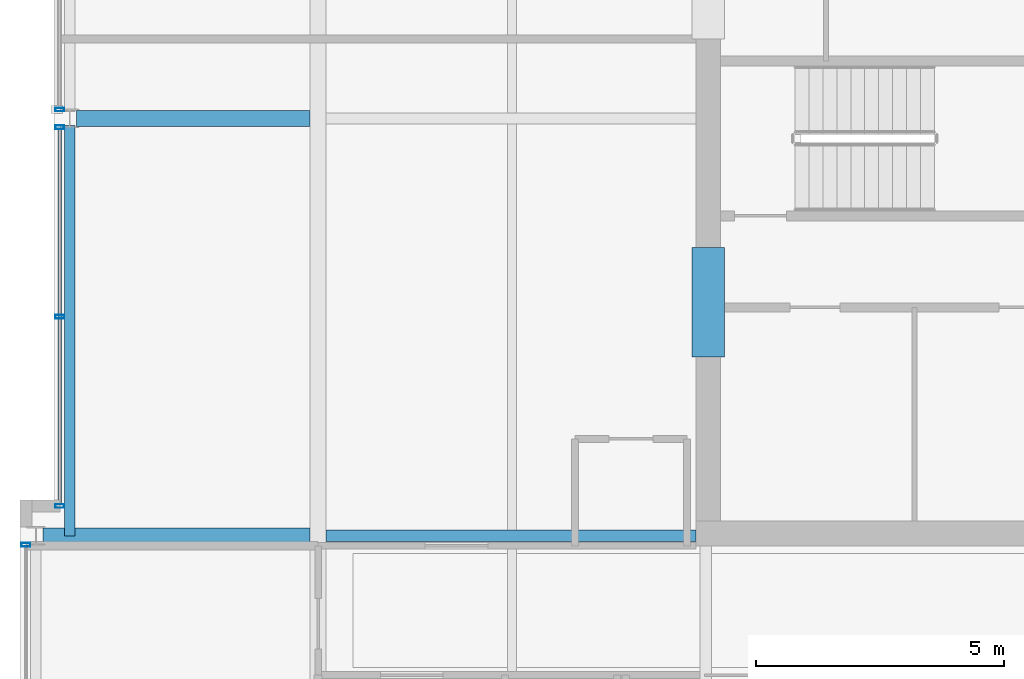
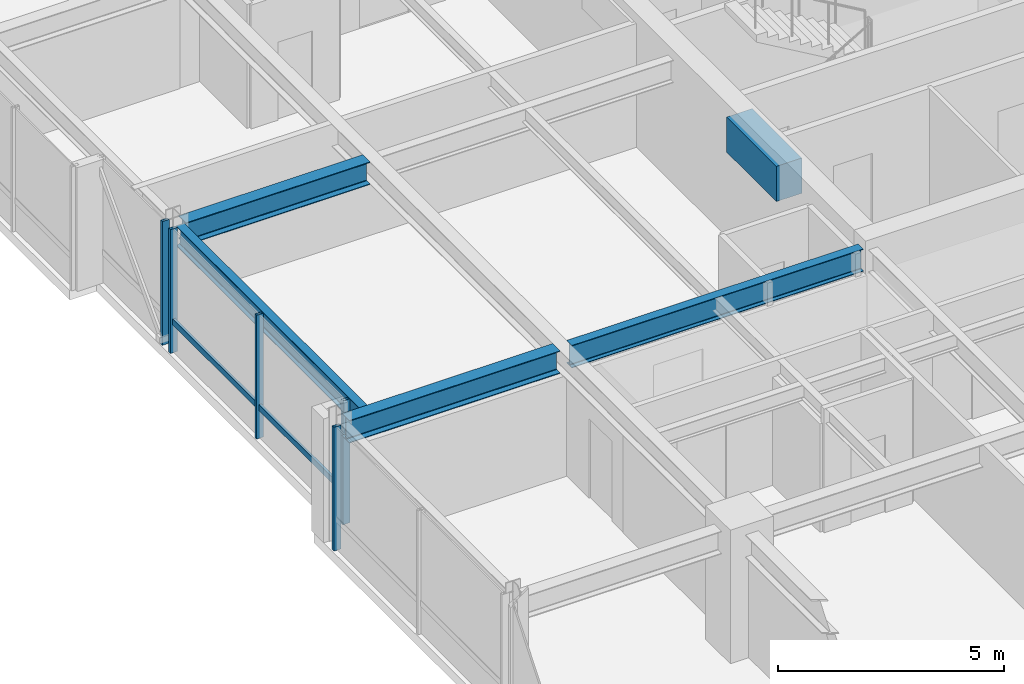
# One storey, part 9 of 33: 6 members, 5 beams, 3 elements without a shape of their own.
"""IFC4 building model written with IfcOpenShell, lengths in metres."""

from ifc_helpers import new_model, si_unit, direction, frame, origin, origin_2d, place, context, subcontext, project, spatial, rectangle, hollow_rectangle, i_section, extrude, material, layer, layer_set, material_profile, profile_set, type_object, element, aggregate, save


model = new_model("IFC4")

# Units and contexts
model_context = context("Model", 3, precision=1e-05, world=origin(), true_north=direction((0.0, 1.0)))
body_context = subcontext(model_context, "Body", "Model", "MODEL_VIEW")
ifc_project = project(units=[si_unit("LENGTHUNIT", "METRE"), si_unit("AREAUNIT", "SQUARE_METRE"), si_unit("VOLUMEUNIT", "CUBIC_METRE"), si_unit("PLANEANGLEUNIT", "RADIAN"), si_unit("MASSUNIT", "GRAM", prefix="KILO")], contexts=[model_context])

# Site, building, storey
site_placement = place(None, origin())
site = spatial("IfcSite", under=ifc_project, at=site_placement, CompositionType="ELEMENT")
building_placement = place(site_placement, origin())
building = spatial("IfcBuilding", under=site, at=building_placement, Name="Drelvath Grand Hotel", CompositionType="ELEMENT")
storey_placement = place(building_placement, frame((0.0, 0.0, 248.300048828125)))
storey = spatial("IfcBuildingStorey", under=building, at=storey_placement, Name="L65", CompositionType="ELEMENT", Elevation=248.300048828125)

# Beam
ifc_material_1 = material(Name="Concrete f'c 55 MPa", Category="concrete")
ifc_material_profile_1 = material_profile(ifc_material_1, rectangle(XDim=0.64990234375, YDim=0.949951171875, at=origin_2d()), Name="CB650X950")
ifc_profile_set_1 = profile_set([ifc_material_profile_1], Name="Concrete f'c 55 MPa")
beam_type_1 = type_object("IfcBeamType", Name="Core Coupling Lintel CB650X950", PredefinedType="LINTEL", material=ifc_profile_set_1)
beam_1_placement = place(storey_placement, frame((-8.35009765625, 22.199951171875, 2.864990234375), z_axis=(0.0, 1.0, 0.0), x_axis=(-1.0, 0.0, 0.0)))
element("IfcBeam", 1, at=beam_1_placement, inside=storey, type_object=beam_type_1, Name="L65 Core Coupling Lintel WS", PredefinedType="LINTEL", context=body_context, shape_type="SweptSolid", body=[
    extrude(rectangle(XDim=0.64990234375, YDim=0.949951171875, at=origin_2d()), origin(), (0.0, 0.0, 1.0), 2.199951171875),
])

# Curtain wall, member
ifc_material_2 = material(Name="Platinum-Mist Anodised Aluminium Frame", Category="aluminium")
ifc_layer = layer(ifc_material_2, 0.199951171875)
ifc_layer_set = layer_set([ifc_layer], Name="Platinum-Mist Anodised Aluminium Frame")
curtain_wall_type = type_object("IfcCurtainWallType", Name="Stick Curtain Wall CW-05 Platinum Mist High-Rise", PredefinedType="NOTDEFINED", material=ifc_layer_set)
curtain_wall_1_placement = place(storey_placement, origin())
curtain_wall_1 = element("IfcCurtainWall", 2, at=curtain_wall_1_placement, inside=storey, type_object=curtain_wall_type, Name="L65 CW-05 Curtain Wall CW05-L65-WM1", PredefinedType="NOTDEFINED")
ifc_material_profile_2 = material_profile(ifc_material_2, hollow_rectangle(XDim=0.06494140625, YDim=0.159912109375, WallThickness=0.00390625, at=origin_2d()), Name="HSS160X65X4")
ifc_profile_set_2 = profile_set([ifc_material_profile_2], Name="Platinum-Mist Anodised Aluminium Frame")
member_type_1 = type_object("IfcMemberType", Name="Curtain Wall Horizontal Transom CW-05 HSS160X65X4", PredefinedType="USERDEFINED", material=ifc_profile_set_2)
member_1_placement = place(storey_placement, frame((-21.39990234375, 19.239990234375, 0.8349609375), z_axis=(0.0, 1.0, 0.0), x_axis=(-1.0, 0.0, 0.0)))
member_1 = element("IfcMember", 3, at=member_1_placement, type_object=member_type_1, Name="CW05-L65-WM1 Sill Transom", ObjectType="TRANSOM", PredefinedType="USERDEFINED", context=body_context, shape_type="SweptSolid", body=[
    extrude(hollow_rectangle(XDim=0.06494140625, YDim=0.159912109375, WallThickness=0.00390625, at=origin_2d()), origin(), (0.0, 0.0, 1.0), 7.541748046875),
])

curtain_wall_2_placement = place(storey_placement, origin())
curtain_wall_2 = element("IfcCurtainWall", 4, at=curtain_wall_2_placement, inside=storey, type_object=curtain_wall_type, Name="L65 CW-05 Curtain Wall CW05-L65-WS2", PredefinedType="NOTDEFINED")
ifc_material_profile_3 = material_profile(ifc_material_2, hollow_rectangle(XDim=0.074951171875, YDim=0.179931640625, WallThickness=0.0048828125, at=origin_2d()), Name="HSS180X75X5")
ifc_profile_set_3 = profile_set([ifc_material_profile_3], Name="Platinum-Mist Anodised Aluminium Frame")
member_type_2 = type_object("IfcMemberType", Name="Curtain Wall Vertical Mullion CW-05 HSS180X75X5", PredefinedType="MULLION", material=ifc_profile_set_3)
member_2_placement = place(storey_placement, frame((-22.080078125, 18.421875, 0.0), z_axis=(0.0, 0.0, 1.0), x_axis=(0.0, 1.0, 0.0)))
member_2 = element("IfcMember", 5, at=member_2_placement, type_object=member_type_2, Name="CW05-L65-WS2 Mullion 3", PredefinedType="MULLION", context=body_context, shape_type="SweptSolid", body=[
    extrude(hollow_rectangle(XDim=0.074951171875, YDim=0.179931640625, WallThickness=0.0048828125, at=origin_2d()), origin(), (0.0, 0.0, 1.0), 3.33984375),
])
aggregate(curtain_wall_2, [member_2])

# Member
member_3_placement = place(storey_placement, frame((-21.39990234375, 19.199951171875, 0.0), z_axis=(0.0, 0.0, 1.0), x_axis=(0.0, 1.0, 0.0)))
member_3 = element("IfcMember", 6, at=member_3_placement, type_object=member_type_2, Name="CW05-L65-WM1 Mullion 1", PredefinedType="MULLION", context=body_context, shape_type="SweptSolid", body=[
    extrude(hollow_rectangle(XDim=0.074951171875, YDim=0.179931640625, WallThickness=0.0048828125, at=origin_2d()), origin(), (0.0, 0.0, 1.0), 3.33984375),
])

member_4_placement = place(storey_placement, frame((-21.39990234375, 23.010986328125, 0.0), z_axis=(0.0, 0.0, 1.0), x_axis=(0.0, 1.0, 0.0)))
member_4 = element("IfcMember", 7, at=member_4_placement, type_object=member_type_2, Name="CW05-L65-WM1 Mullion 2", PredefinedType="MULLION", context=body_context, shape_type="SweptSolid", body=[
    extrude(hollow_rectangle(XDim=0.074951171875, YDim=0.179931640625, WallThickness=0.0048828125, at=origin_2d()), origin(), (0.0, 0.0, 1.0), 3.33984375),
])

member_5_placement = place(storey_placement, frame((-21.39990234375, 26.82177734375, 0.0), z_axis=(0.0, 0.0, 1.0), x_axis=(0.0, 1.0, 0.0)))
member_5 = element("IfcMember", 8, at=member_5_placement, type_object=member_type_2, Name="CW05-L65-WM1 Mullion 3", PredefinedType="MULLION", context=body_context, shape_type="SweptSolid", body=[
    extrude(hollow_rectangle(XDim=0.074951171875, YDim=0.179931640625, WallThickness=0.0048828125, at=origin_2d()), origin(), (0.0, 0.0, 1.0), 3.33984375),
])

aggregate(curtain_wall_1, [member_3, member_4, member_5, member_1])

# Curtain wall, member
curtain_wall_3_placement = place(storey_placement, origin())
curtain_wall_3 = element("IfcCurtainWall", 9, at=curtain_wall_3_placement, inside=storey, type_object=curtain_wall_type, Name="L65 CW-05 Curtain Wall CW05-L65-WM2", PredefinedType="NOTDEFINED")
member_6_placement = place(storey_placement, frame((-21.39990234375, 27.17822265625, 0.0), z_axis=(0.0, 0.0, 1.0), x_axis=(0.0, 1.0, 0.0)))
member_6 = element("IfcMember", 10, at=member_6_placement, type_object=member_type_2, Name="CW05-L65-WM2 Mullion 1", PredefinedType="MULLION", context=body_context, shape_type="SweptSolid", body=[
    extrude(hollow_rectangle(XDim=0.074951171875, YDim=0.179931640625, WallThickness=0.0048828125, at=origin_2d()), origin(), (0.0, 0.0, 1.0), 3.33984375),
])
aggregate(curtain_wall_3, [member_6])

# Beams
ifc_material_3 = material(Name="Steel ASTM A992 Gr 50", Category="steel")
ifc_material_profile_4 = material_profile(ifc_material_3, i_section(OverallWidth=0.210205078125, OverallDepth=0.53662109375, WebThickness=0.010986328125, FlangeThickness=0.017333984375, FilletRadius=0.01806640625, at=origin_2d()), Name="W21X68")
ifc_profile_set_4 = profile_set([ifc_material_profile_4], Name="Steel ASTM A992 Gr 50")
beam_type_2 = type_object("IfcBeamType", Name="Perimeter Spandrel Beam W21X68", PredefinedType="SPANDREL", material=ifc_profile_set_4)
beam_2_placement = place(storey_placement, frame((-21.199951171875, 18.60009765625, 3.071533203125), z_axis=(0.0, 1.0, 0.0), x_axis=(-1.0, 0.0, 0.0)))
element("IfcBeam", 11, at=beam_2_placement, inside=storey, type_object=beam_type_2, Name="L65 Spandrel West Mid S", PredefinedType="SPANDREL", context=body_context, shape_type="SweptSolid", body=[
    extrude(i_section(OverallWidth=0.210205078125, OverallDepth=0.53662109375, WebThickness=0.010986328125, FlangeThickness=0.017333984375, FilletRadius=0.01806640625, at=origin_2d()), origin(), (0.0, 0.0, 1.0), 8.260009765625),
])
ifc_material_profile_5 = material_profile(ifc_material_3, i_section(OverallWidth=0.323974609375, OverallDepth=0.611083984375, WebThickness=0.0126953125, FlangeThickness=0.01904296875, FilletRadius=0.02197265625, at=origin_2d()), Name="W24X104")
ifc_profile_set_5 = profile_set([ifc_material_profile_5], Name="Steel ASTM A992 Gr 50")
beam_type_3 = type_object("IfcBeamType", Name="Primary Floor Girder W24X104", PredefinedType="BEAM", material=ifc_profile_set_5)
beam_3_placement = place(storey_placement, frame((-21.739990234375, 18.60009765625, 3.034423828125), z_axis=(1.0, 0.0, 0.0), x_axis=(0.0, 1.0, 0.0)))
element("IfcBeam", 12, at=beam_3_placement, inside=storey, type_object=beam_type_3, Name="L65 West Wing Girder D", PredefinedType="BEAM", context=body_context, shape_type="SweptSolid", body=[
    extrude(i_section(OverallWidth=0.323974609375, OverallDepth=0.611083984375, WebThickness=0.0126953125, FlangeThickness=0.01904296875, FilletRadius=0.02197265625, at=origin_2d()), origin(), (0.0, 0.0, 1.0), 5.3779296875),
])
beam_4_placement = place(storey_placement, frame((-21.06005859375, 27.0, 3.034423828125), z_axis=(1.0, 0.0, 0.0), x_axis=(0.0, 1.0, 0.0)))
element("IfcBeam", 13, at=beam_4_placement, inside=storey, type_object=beam_type_3, Name="L65 West Wing Girder E", PredefinedType="BEAM", context=body_context, shape_type="SweptSolid", body=[
    extrude(i_section(OverallWidth=0.323974609375, OverallDepth=0.611083984375, WebThickness=0.0126953125, FlangeThickness=0.01904296875, FilletRadius=0.02197265625, at=origin_2d()), origin(), (0.0, 0.0, 1.0), 4.697998046875),
])
ifc_material_profile_6 = material_profile(ifc_material_3, i_section(OverallWidth=0.228271484375, OverallDepth=0.607666015625, WebThickness=0.01123046875, FlangeThickness=0.017333984375, FilletRadius=0.02001953125, at=origin_2d()), Name="W24X76")
ifc_profile_set_6 = profile_set([ifc_material_profile_6], Name="Steel ASTM A992 Gr 50")
beam_type_4 = type_object("IfcBeamType", Name="Primary Floor Girder W24X76", PredefinedType="BEAM", material=ifc_profile_set_6)
beam_5_placement = place(storey_placement, frame((-16.0380859375, 18.60009765625, 3.0361328125), z_axis=(1.0, 0.0, 0.0), x_axis=(0.0, 1.0, 0.0)))
element("IfcBeam", 14, at=beam_5_placement, inside=storey, type_object=beam_type_4, Name="L65 West Core Tie D", PredefinedType="BEAM", context=body_context, shape_type="SweptSolid", body=[
    extrude(i_section(OverallWidth=0.228271484375, OverallDepth=0.607666015625, WebThickness=0.01123046875, FlangeThickness=0.017333984375, FilletRadius=0.02001953125, at=origin_2d()), origin(), (0.0, 0.0, 1.0), 7.43798828125),
])

save(model, "model.ifc")
